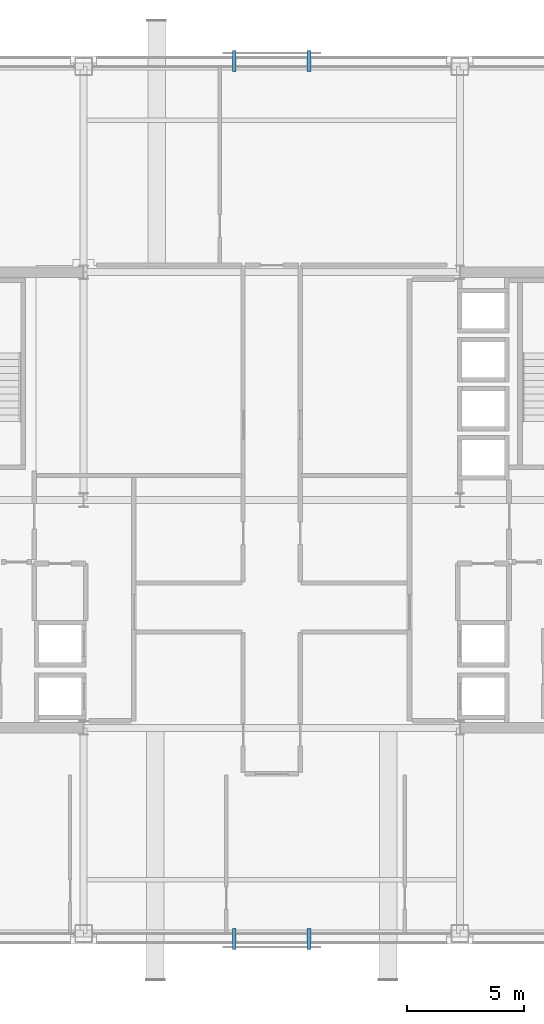
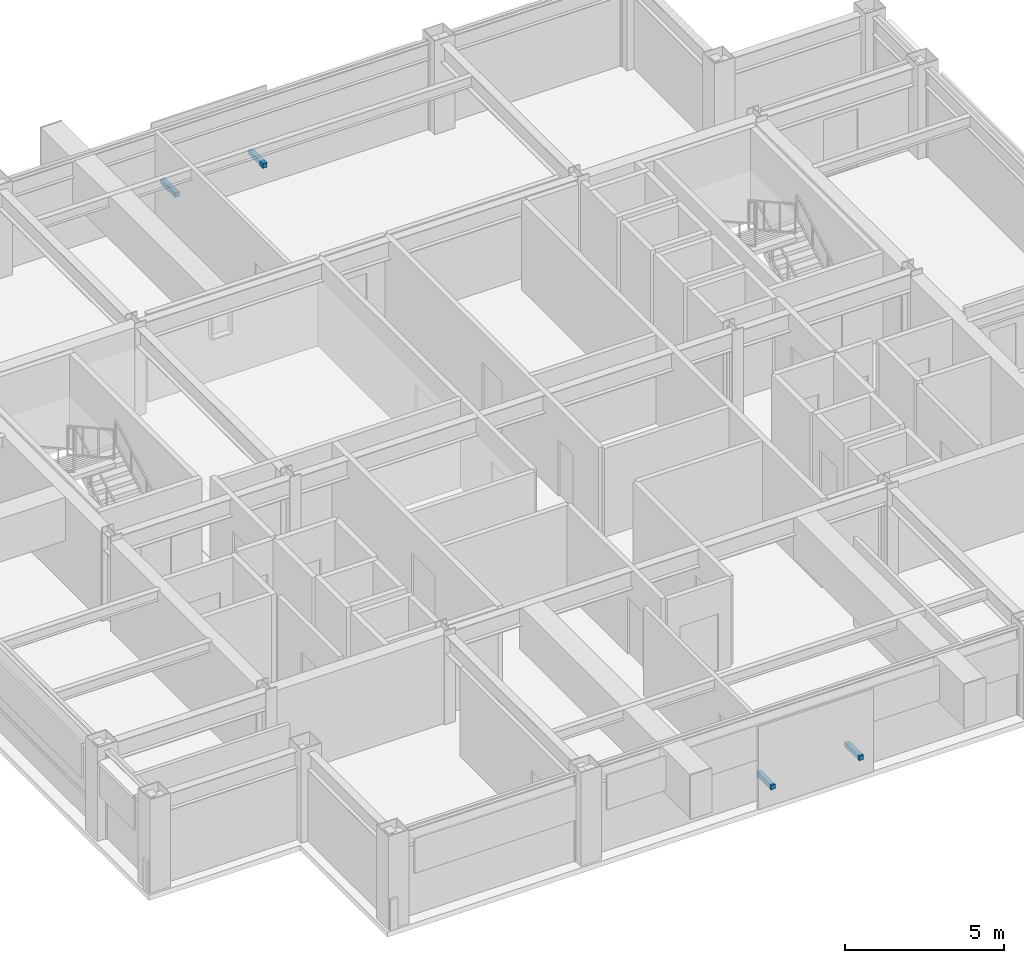
# One storey, part 27 of 28: 4 discrete accessories.
"""IFC4 building model written with IfcOpenShell, lengths in metres."""

from ifc_helpers import new_model, si_unit, direction, frame, origin, origin_2d, place, context, subcontext, project, spatial, rectangle, extrude, material, type_object, element, save


model = new_model("IFC4")

# Units and contexts
model_context = context("Model", 3, precision=1e-05, world=origin(), true_north=direction((0.0, 1.0)))
body_context = subcontext(model_context, "Body", "Model", "MODEL_VIEW")
ifc_project = project(units=[si_unit("LENGTHUNIT", "METRE"), si_unit("AREAUNIT", "SQUARE_METRE"), si_unit("VOLUMEUNIT", "CUBIC_METRE"), si_unit("PLANEANGLEUNIT", "RADIAN"), si_unit("MASSUNIT", "GRAM", prefix="KILO")], contexts=[model_context])

# Site, building, storey
site_placement = place(None, origin())
site = spatial("IfcSite", under=ifc_project, at=site_placement, CompositionType="ELEMENT")
building_placement = place(site_placement, origin())
building = spatial("IfcBuilding", under=site, at=building_placement, Name="Brelmoor Portico Tower", CompositionType="ELEMENT")
storey_placement = place(building_placement, frame((0.0, 0.0, 155.10009765625)))
storey = spatial("IfcBuildingStorey", under=building, at=storey_placement, Name="L40", CompositionType="ELEMENT", Elevation=155.10009765625)

# Discrete accessories
ifc_material = material(Name="Galvanised Steel Q355B", Category="steel")
discrete_accessory_type = type_object("IfcDiscreteAccessoryType", Name="DA-SCREEN-BRACKET", PredefinedType="BRACKET", material=ifc_material)
for number, where, z_axis, x_axis, name in (
    (1, (-1.60009765625, -18.780029296875, 0.759765625), (0.0, 0.0, 1.0), (1.0, 0.0, 0.0), "L40 Solar Screen Bracket S1A"),
    (2, (1.60009765625, -18.780029296875, 0.759765625), (0.0, 0.0, 1.0), (1.0, 0.0, 0.0), "L40 Solar Screen Bracket S1B"),
    (3, (-1.60009765625, 18.780029296875, 0.759765625), (0.0, 0.0, 1.0), (1.0, 0.0, 0.0), "L40 Solar Screen Bracket N1A"),
    (4, (1.60009765625, 18.780029296875, 0.759765625), (0.0, 0.0, 1.0), (1.0, 0.0, 0.0), "L40 Solar Screen Bracket N1B"),
):
    element("IfcDiscreteAccessory", number, at=place(storey_placement, frame(where, z_axis=z_axis, x_axis=x_axis)), inside=storey, type_object=discrete_accessory_type, Name=name, PredefinedType="BRACKET", context=body_context, shape_type="SweptSolid", body=[
        extrude(rectangle(XDim=0.159912109375, YDim=0.89990234375, at=origin_2d()), origin(), (0.0, 0.0, 1.0), 0.179931640625),
    ])

save(model, "model.ifc")
